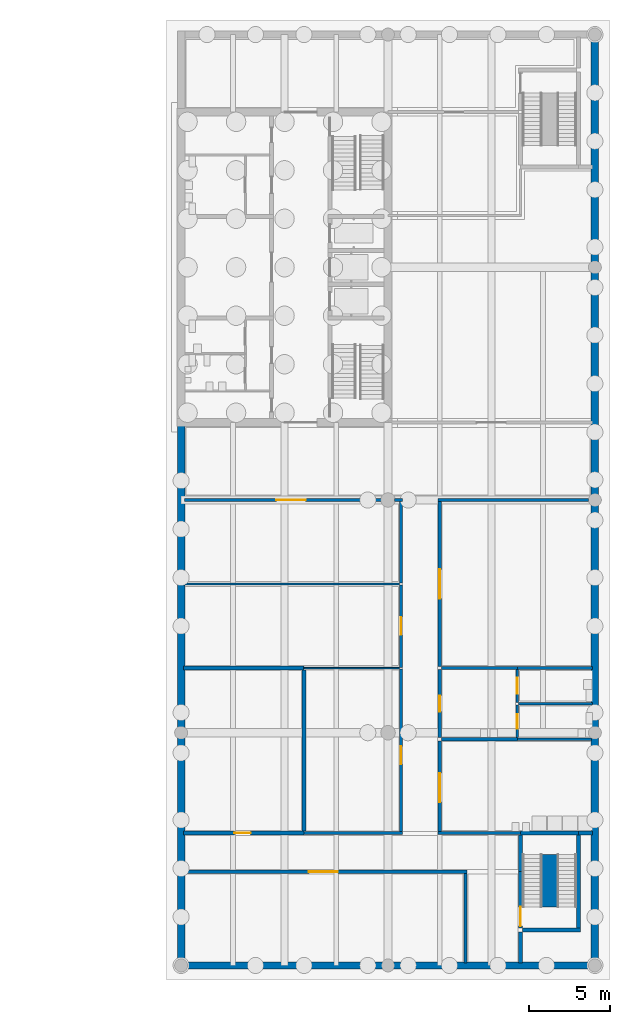
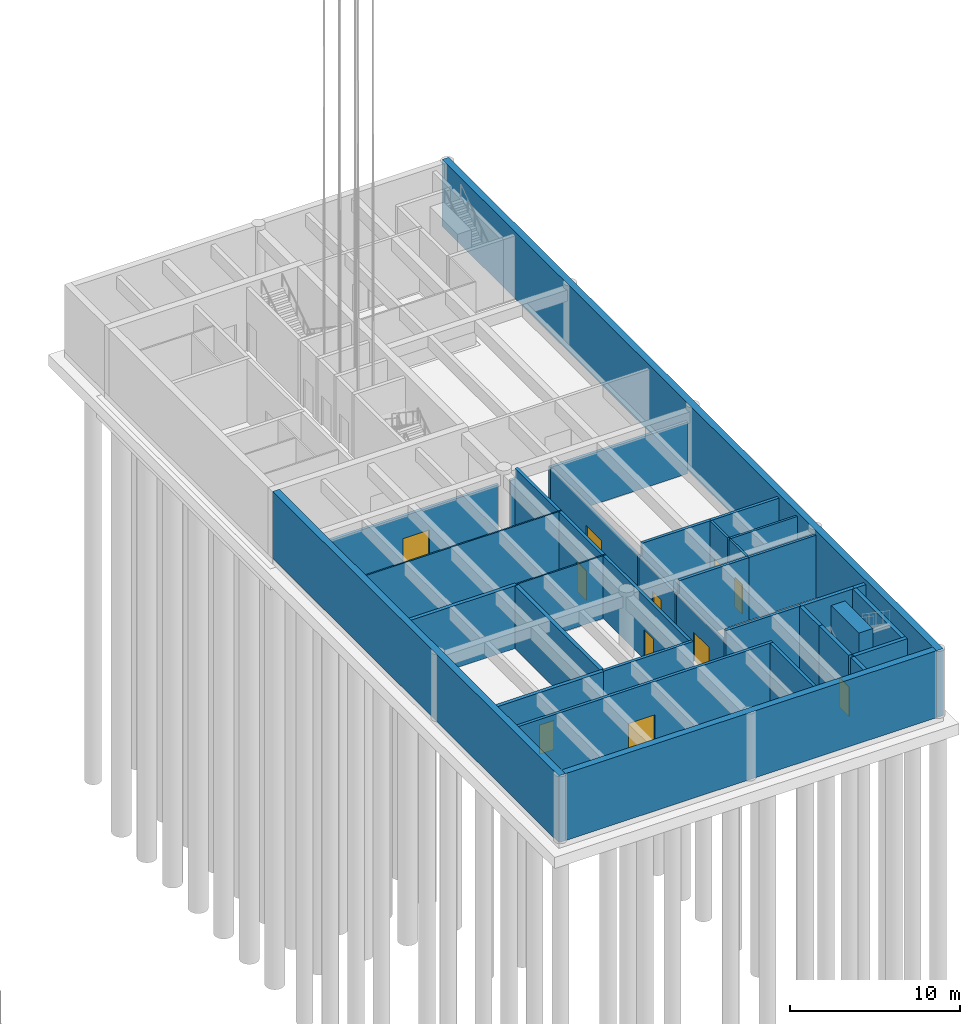
# One storey, part 5 of 24: 36 walls, 11 doors, 11 openings.
"""IFC4 building model written with IfcOpenShell, lengths in metres."""

from ifc_helpers import new_model, si_unit, direction, frame, frame_2d, origin, place, context, subcontext, project, spatial, rectangle, extrude, material, layer, layer_set, type_object, element, fill, save


model = new_model("IFC4")

# Units and contexts
model_context = context("Model", 3, precision=1e-05, world=origin(), true_north=direction((0.0, 1.0)))
body_context = subcontext(model_context, "Body", "Model", "MODEL_VIEW")
ifc_project = project(units=[si_unit("LENGTHUNIT", "METRE"), si_unit("AREAUNIT", "SQUARE_METRE"), si_unit("VOLUMEUNIT", "CUBIC_METRE"), si_unit("PLANEANGLEUNIT", "RADIAN"), si_unit("MASSUNIT", "GRAM", prefix="KILO")], contexts=[model_context])

# Site, building, storey
site_placement = place(None, origin())
site = spatial("IfcSite", under=ifc_project, at=site_placement, CompositionType="ELEMENT")
building_placement = place(site_placement, origin())
building = spatial("IfcBuilding", under=site, at=building_placement, Name="Fogon Plaza Fire Station and Headquarters Tower", CompositionType="ELEMENT")
storey_placement = place(building_placement, frame((0.0, 0.0, -4.800048828125)))
storey = spatial("IfcBuildingStorey", under=building, at=storey_placement, Name="B1", CompositionType="ELEMENT", Elevation=-4.800048828125)

# Wall
ifc_material_1 = material(Name="Concrete Block Wall", Category="concrete")
ifc_layer_1 = layer(ifc_material_1, 0.14990234375)
ifc_layer_set_1 = layer_set([ifc_layer_1], Name="Concrete Block Wall")
wall_type_1 = type_object("IfcWallType", Name="Block Wall 150", PredefinedType="PARTITIONING", material=ifc_layer_set_1)
wall_1_placement = place(storey_placement, frame((89.449951171875, 16.199951171875, 0.0), z_axis=(0.0, 0.0, 1.0), x_axis=(-1.0, 0.0, 0.0)))
element("IfcWall", 1, at=wall_1_placement, inside=storey, type_object=wall_type_1, Name="wall-B1-E-010", PredefinedType="PARTITIONING", context=body_context, shape_type="SweptSolid", body=[
    extrude(rectangle(XDim=4.574951171875, YDim=0.14990234375, at=frame_2d((2.28759765625, 0.0))), origin(), (0.0, 0.0, 1.0), 4.5),
])

# Wall, opening, door
wall_2_placement = place(storey_placement, frame((84.800048828125, 14.10009765625, 0.0), z_axis=(0.0, 0.0, 1.0), x_axis=(0.0, 1.0, 0.0)))
wall_2 = element("IfcWall", 2, at=wall_2_placement, inside=storey, type_object=wall_type_1, Name="wall-B1-E-034", PredefinedType="PARTITIONING", context=body_context, shape_type="SweptSolid", body=[
    extrude(rectangle(XDim=2.02490234375, YDim=0.14990234375, at=frame_2d((1.012451171875, 0.0))), origin(), (0.0, 0.0, 1.0), 4.5),
])
opening_1_placement = place(wall_2_placement, frame((0.550048828125, 0.0, 0.0)))
opening_1 = element("IfcOpeningElement", 3, at=opening_1_placement, cuts=wall_2, Name="Opening B1-D45", PredefinedType="OPENING", context=body_context, shape_type="SweptSolid", body=[
    extrude(rectangle(XDim=0.89990234375, YDim=2.10009765625, at=frame_2d((0.449951171875, 1.050048828125))), frame((0.0, 0.0849609375, 0.0), z_axis=(0.0, -1.0, 0.0), x_axis=(1.0, 0.0, 0.0)), (0.0, 0.0, 1.0), 0.169921875),
])
ifc_material_2 = material(Name="Timber Door Leaf", Category="wood")
door_type_1 = type_object("IfcDoorType", Name="Door WC 900x2100", OperationType="SINGLE_SWING_LEFT", PredefinedType="DOOR", material=ifc_material_2)
door_1_placement = place(opening_1_placement, frame((0.89990234375, 0.0, 0.0), z_axis=(0.0, 0.0, 1.0), x_axis=(-1.0, 0.0, 0.0)))
door_1 = element("IfcDoor", 4, at=door_1_placement, inside=storey, type_object=door_type_1, Name="door-B1-E-05", OperationType="SINGLE_SWING_LEFT", OverallHeight=2.10009765625, OverallWidth=0.89990234375, PredefinedType="DOOR", context=body_context, shape_type="SweptSolid", body=[
    extrude(rectangle(XDim=0.89990234375, YDim=2.10009765625, at=frame_2d((0.449951171875, 1.050048828125))), frame((0.0, 0.02490234375, 0.0), z_axis=(0.0, -1.0, 0.0), x_axis=(1.0, 0.0, 0.0)), (0.0, 0.0, 1.0), 0.050048828125),
])
fill(opening_1, door_1)

wall_3_placement = place(storey_placement, frame((84.800048828125, 16.27490234375, 0.0), z_axis=(0.0, 0.0, 1.0), x_axis=(0.0, 1.0, 0.0)))
wall_3 = element("IfcWall", 5, at=wall_3_placement, inside=storey, type_object=wall_type_1, Name="wall-B1-E-035", PredefinedType="PARTITIONING", context=body_context, shape_type="SweptSolid", body=[
    extrude(rectangle(XDim=2.025146484375, YDim=0.14990234375, at=frame_2d((1.0126953125, 0.0))), origin(), (0.0, 0.0, 1.0), 4.5),
])
opening_2_placement = place(wall_3_placement, frame((0.52490234375, 0.0, 0.0)))
opening_2 = element("IfcOpeningElement", 6, at=opening_2_placement, cuts=wall_3, Name="Opening B1-D46", PredefinedType="OPENING", context=body_context, shape_type="SweptSolid", body=[
    extrude(rectangle(XDim=1.0, YDim=2.10009765625, at=frame_2d((0.5, 1.050048828125))), frame((0.0, 0.0849609375, 0.0), z_axis=(0.0, -1.0, 0.0), x_axis=(1.0, 0.0, 0.0)), (0.0, 0.0, 1.0), 0.169921875),
])
ifc_material_3 = material(Name="Timber Door Leaf", Category="wood")
door_type_2 = type_object("IfcDoorType", Name="Door Sliding 1000x2100", OperationType="SINGLE_SWING_LEFT", PredefinedType="DOOR", material=ifc_material_3)
door_2_placement = place(opening_2_placement, frame((1.0, 0.0, 0.0), z_axis=(0.0, 0.0, 1.0), x_axis=(-1.0, 0.0, 0.0)))
door_2 = element("IfcDoor", 7, at=door_2_placement, inside=storey, type_object=door_type_2, Name="door-B1-E-06", OperationType="SINGLE_SWING_RIGHT", OverallHeight=2.10009765625, OverallWidth=1.0, PredefinedType="DOOR", context=body_context, shape_type="SweptSolid", body=[
    extrude(rectangle(XDim=1.0, YDim=2.10009765625, at=frame_2d((0.5, 1.050048828125))), frame((0.0, 0.02490234375, 0.0), z_axis=(0.0, -1.0, 0.0), x_axis=(1.0, 0.0, 0.0)), (0.0, 0.0, 1.0), 0.050048828125),
])
fill(opening_2, door_2)

# Walls
ifc_material_4 = material(Name="Concrete Block Fire Wall", Category="concrete")
ifc_layer_2 = layer(ifc_material_4, 0.199951171875)
ifc_layer_set_2 = layer_set([ifc_layer_2], Name="Concrete Block Fire Wall")
wall_type_2 = type_object("IfcWallType", Name="Compartment Wall EI 120", PredefinedType="PARTITIONING", material=ifc_layer_set_2)
wall_4_placement = place(storey_placement, frame((89.449951171875, 18.39990234375, 0.0), z_axis=(0.0, 0.0, 1.0), x_axis=(-1.0, 0.0, 0.0)))
element("IfcWall", 8, at=wall_4_placement, inside=storey, type_object=wall_type_2, Name="wall-B1-E-011", PredefinedType="PARTITIONING", context=body_context, shape_type="SweptSolid", body=[
    extrude(rectangle(XDim=4.64990234375, YDim=0.199951171875, at=frame_2d((2.324951171875, 0.0))), origin(), (0.0, 0.0, 1.0), 4.5),
])
wall_5_placement = place(storey_placement, frame((84.800048828125, 18.39990234375, 0.0), z_axis=(0.0, 0.0, 1.0), x_axis=(-1.0, 0.0, 0.0)))
element("IfcWall", 9, at=wall_5_placement, inside=storey, type_object=wall_type_2, Name="wall-B1-E-012", PredefinedType="PARTITIONING", context=body_context, shape_type="SweptSolid", body=[
    extrude(rectangle(XDim=4.699951171875, YDim=0.199951171875, at=frame_2d((2.35009765625, 0.0))), origin(), (0.0, 0.0, 1.0), 4.5),
])
ifc_material_5 = material(Name="Concrete Block Fire Wall", Category="concrete")
ifc_layer_3 = layer(ifc_material_5, 0.199951171875)
ifc_layer_set_3 = layer_set([ifc_layer_3], Name="Concrete Block Fire Wall")
wall_type_3 = type_object("IfcWallType", Name="Compartment Wall EI 120 Beam Head 800", PredefinedType="PARTITIONING", material=ifc_layer_set_3)
wall_6_placement = place(storey_placement, frame((89.199951171875, 28.800048828125, 0.0), z_axis=(0.0, 0.0, 1.0), x_axis=(-1.0, 0.0, 0.0)))
element("IfcWall", 10, at=wall_6_placement, inside=storey, type_object=wall_type_3, Name="wall-B1-E-016", PredefinedType="PARTITIONING", context=body_context, shape_type="SweptSolid", body=[
    extrude(rectangle(XDim=9.300048828125, YDim=0.199951171875, at=frame_2d((4.64990234375, 0.0))), origin(), (0.0, 0.0, 1.0), 3.699951171875),
])

# Wall, opening, door
ifc_material_6 = material(Name="Concrete Block Fire Wall", Category="concrete")
ifc_layer_4 = layer(ifc_material_6, 0.199951171875)
ifc_layer_set_4 = layer_set([ifc_layer_4], Name="Concrete Block Fire Wall")
wall_type_4 = type_object("IfcWallType", Name="Compartment Wall EI 120 Beam Head 900", PredefinedType="PARTITIONING", material=ifc_layer_set_4)
wall_7_placement = place(storey_placement, frame((80.0, 18.5, 0.0), z_axis=(0.0, 0.0, 1.0), x_axis=(0.0, 1.0, 0.0)))
wall_7 = element("IfcWall", 11, at=wall_7_placement, inside=storey, type_object=wall_type_4, Name="wall-B1-E-039", PredefinedType="PARTITIONING", context=body_context, shape_type="SweptSolid", body=[
    extrude(rectangle(XDim=10.199951171875, YDim=0.199951171875, at=frame_2d((5.10009765625, 0.0))), origin(), (0.0, 0.0, 1.0), 3.60009765625),
])
opening_3_placement = place(wall_7_placement, frame((4.199951171875, 0.0, 0.0)))
opening_3 = element("IfcOpeningElement", 12, at=opening_3_placement, cuts=wall_7, Name="Opening B1-D51", PredefinedType="OPENING", context=body_context, shape_type="SweptSolid", body=[
    extrude(rectangle(XDim=1.800048828125, YDim=2.10009765625, at=frame_2d((0.89990234375, 1.050048828125))), frame((0.0, 0.10986328125, 0.0), z_axis=(0.0, -1.0, 0.0), x_axis=(1.0, 0.0, 0.0)), (0.0, 0.0, 1.0), 0.219970703125),
])
ifc_material_7 = material(Name="Steel Fire Door Leaf", Category="steel")
door_type_3 = type_object("IfcDoorType", Name="Fire Door Double EI 90 1800x2100", OperationType="SINGLE_SWING_LEFT", PredefinedType="DOOR", material=ifc_material_7)
door_3_placement = place(opening_3_placement, frame((1.800048828125, 0.0, 0.0), z_axis=(0.0, 0.0, 1.0), x_axis=(-1.0, 0.0, 0.0)))
door_3 = element("IfcDoor", 13, at=door_3_placement, inside=storey, type_object=door_type_3, Name="door-B1-E-11", OperationType="DOUBLE_DOOR_SINGLE_SWING", OverallHeight=2.10009765625, OverallWidth=1.800048828125, PredefinedType="DOOR", context=body_context, shape_type="SweptSolid", body=[
    extrude(rectangle(XDim=1.800048828125, YDim=2.10009765625, at=frame_2d((0.89990234375, 1.050048828125))), frame((0.0, 0.02490234375, 0.0), z_axis=(0.0, -1.0, 0.0), x_axis=(1.0, 0.0, 0.0)), (0.0, 0.0, 1.0), 0.050048828125),
])
fill(opening_3, door_3)

ifc_material_8 = material(Name="Gypsum Board Fire Partition")
ifc_layer_5 = layer(ifc_material_8, 0.199951171875)
ifc_layer_set_5 = layer_set([ifc_layer_5], Name="Gypsum Board Fire Partition")
wall_type_5 = type_object("IfcWallType", Name="Corridor Wall EI 60", PredefinedType="PARTITIONING", material=ifc_layer_set_5)
wall_8_placement = place(storey_placement, frame((81.699951171875, 5.800048828125, 0.0), z_axis=(0.0, 0.0, 1.0), x_axis=(-1.0, 0.0, 0.0)))
wall_8 = element("IfcWall", 14, at=wall_8_placement, inside=storey, type_object=wall_type_5, Name="wall-B1-E-002", PredefinedType="PARTITIONING", context=body_context, shape_type="SweptSolid", body=[
    extrude(rectangle(XDim=17.550048828125, YDim=0.199951171875, at=frame_2d((8.77490234375, 0.0))), origin(), (0.0, 0.0, 1.0), 4.5),
])
opening_4_placement = place(wall_8_placement, frame((8.0, 0.0, 0.0)))
opening_4 = element("IfcOpeningElement", 15, at=opening_4_placement, cuts=wall_8, Name="Opening B1-D42", PredefinedType="OPENING", context=body_context, shape_type="SweptSolid", body=[
    extrude(rectangle(XDim=1.800048828125, YDim=2.10009765625, at=frame_2d((0.89990234375, 1.050048828125))), frame((0.0, 0.10986328125, 0.0), z_axis=(0.0, -1.0, 0.0), x_axis=(1.0, 0.0, 0.0)), (0.0, 0.0, 1.0), 0.219970703125),
])
ifc_material_9 = material(Name="Steel Fire Door Leaf", Category="steel")
door_type_4 = type_object("IfcDoorType", Name="Corridor Door Double EI 20 1800x2100", OperationType="SINGLE_SWING_LEFT", PredefinedType="DOOR", material=ifc_material_9)
door_4_placement = place(opening_4_placement, origin())
door_4 = element("IfcDoor", 16, at=door_4_placement, inside=storey, type_object=door_type_4, Name="door-B1-E-02", OperationType="DOUBLE_DOOR_SINGLE_SWING", OverallHeight=2.10009765625, OverallWidth=1.800048828125, PredefinedType="DOOR", context=body_context, shape_type="SweptSolid", body=[
    extrude(rectangle(XDim=1.800048828125, YDim=2.10009765625, at=frame_2d((0.89990234375, 1.050048828125))), frame((0.0, 0.02490234375, 0.0), z_axis=(0.0, -1.0, 0.0), x_axis=(1.0, 0.0, 0.0)), (0.0, 0.0, 1.0), 0.050048828125),
])
fill(opening_4, door_4)

# Walls
wall_9_placement = place(storey_placement, frame((85.0, 8.199951171875, 0.0), z_axis=(0.0, 0.0, 1.0), x_axis=(-1.0, 0.0, 0.0)))
element("IfcWall", 17, at=wall_9_placement, inside=storey, type_object=wall_type_5, Name="wall-B1-E-005", PredefinedType="PARTITIONING", context=body_context, shape_type="SweptSolid", body=[
    extrude(rectangle(XDim=5.10009765625, YDim=0.199951171875, at=frame_2d((2.550048828125, 0.0))), origin(), (0.0, 0.0, 1.0), 4.5),
])
wall_10_placement = place(storey_placement, frame((77.699951171875, 8.199951171875, 0.0), z_axis=(0.0, 0.0, 1.0), x_axis=(-1.0, 0.0, 0.0)))
element("IfcWall", 18, at=wall_10_placement, inside=storey, type_object=wall_type_5, Name="wall-B1-E-006", PredefinedType="PARTITIONING", context=body_context, shape_type="SweptSolid", body=[
    extrude(rectangle(XDim=6.099853515625, YDim=0.199951171875, at=frame_2d((3.0498046875, 0.0))), origin(), (0.0, 0.0, 1.0), 4.5),
])
wall_11_placement = place(storey_placement, frame((84.800048828125, 14.0, 0.0), z_axis=(0.0, 0.0, 1.0), x_axis=(-1.0, 0.0, 0.0)))
element("IfcWall", 19, at=wall_11_placement, inside=storey, type_object=wall_type_5, Name="wall-B1-E-009", PredefinedType="PARTITIONING", context=body_context, shape_type="SweptSolid", body=[
    extrude(rectangle(XDim=4.699951171875, YDim=0.199951171875, at=frame_2d((2.35009765625, 0.0))), origin(), (0.0, 0.0, 1.0), 4.5),
])
wall_12_placement = place(storey_placement, frame((81.60009765625, 0.14990234375, 0.0), z_axis=(0.0, 0.0, 1.0), x_axis=(0.0, 1.0, 0.0)))
element("IfcWall", 20, at=wall_12_placement, inside=storey, type_object=wall_type_5, Name="wall-B1-E-036", PredefinedType="PARTITIONING", context=body_context, shape_type="SweptSolid", body=[
    extrude(rectangle(XDim=5.550048828125, YDim=0.199951171875, at=frame_2d((2.77490234375, 0.0))), origin(), (0.0, 0.0, 1.0), 4.5),
])

# Wall, opening, door
wall_13_placement = place(storey_placement, frame((77.60009765625, 8.300048828125, 0.0), z_axis=(0.0, 0.0, 1.0), x_axis=(0.0, 1.0, 0.0)))
wall_13 = element("IfcWall", 21, at=wall_13_placement, inside=storey, type_object=wall_type_5, Name="wall-B1-E-040", PredefinedType="PARTITIONING", context=body_context, shape_type="SweptSolid", body=[
    extrude(rectangle(XDim=10.050048828125, YDim=0.199951171875, at=frame_2d((5.02490234375, 0.0))), origin(), (0.0, 0.0, 1.0), 4.5),
])
opening_5_placement = place(wall_13_placement, frame((4.14990234375, 0.0, 0.0)))
opening_5 = element("IfcOpeningElement", 22, at=opening_5_placement, cuts=wall_13, Name="Opening B1-D47", PredefinedType="OPENING", context=body_context, shape_type="SweptSolid", body=[
    extrude(rectangle(XDim=1.10009765625, YDim=2.10009765625, at=frame_2d((0.550048828125, 1.050048828125))), frame((0.0, 0.10986328125, 0.0), z_axis=(0.0, -1.0, 0.0), x_axis=(1.0, 0.0, 0.0)), (0.0, 0.0, 1.0), 0.219970703125),
])
ifc_material_10 = material(Name="Steel Fire Door Leaf", Category="steel")
door_type_5 = type_object("IfcDoorType", Name="Corridor Door EI 20 1100x2100", OperationType="SINGLE_SWING_LEFT", PredefinedType="DOOR", material=ifc_material_10)
door_5_placement = place(opening_5_placement, origin())
door_5 = element("IfcDoor", 23, at=door_5_placement, inside=storey, type_object=door_type_5, Name="door-B1-E-07", OperationType="SINGLE_SWING_RIGHT", OverallHeight=2.10009765625, OverallWidth=1.10009765625, PredefinedType="DOOR", context=body_context, shape_type="SweptSolid", body=[
    extrude(rectangle(XDim=1.10009765625, YDim=2.10009765625, at=frame_2d((0.550048828125, 1.050048828125))), frame((0.0, 0.02490234375, 0.0), z_axis=(0.0, -1.0, 0.0), x_axis=(1.0, 0.0, 0.0)), (0.0, 0.0, 1.0), 0.050048828125),
])
fill(opening_5, door_5)

wall_14_placement = place(storey_placement, frame((77.60009765625, 18.449951171875, 0.0), z_axis=(0.0, 0.0, 1.0), x_axis=(0.0, 1.0, 0.0)))
wall_14 = element("IfcWall", 24, at=wall_14_placement, inside=storey, type_object=wall_type_5, Name="wall-B1-E-041", PredefinedType="PARTITIONING", context=body_context, shape_type="SweptSolid", body=[
    extrude(rectangle(XDim=5.10009765625, YDim=0.199951171875, at=frame_2d((2.550048828125, 0.0))), origin(), (0.0, 0.0, 1.0), 4.5),
])
opening_6_placement = place(wall_14_placement, frame((2.0, 0.0, 0.0)))
opening_6 = element("IfcOpeningElement", 25, at=opening_6_placement, cuts=wall_14, Name="Opening B1-D49", PredefinedType="OPENING", context=body_context, shape_type="SweptSolid", body=[
    extrude(rectangle(XDim=1.10009765625, YDim=2.10009765625, at=frame_2d((0.550048828125, 1.050048828125))), frame((0.0, 0.10986328125, 0.0), z_axis=(0.0, -1.0, 0.0), x_axis=(1.0, 0.0, 0.0)), (0.0, 0.0, 1.0), 0.219970703125),
])
door_6_placement = place(opening_6_placement, origin())
door_6 = element("IfcDoor", 26, at=door_6_placement, inside=storey, type_object=door_type_5, Name="door-B1-E-09", OperationType="SINGLE_SWING_RIGHT", OverallHeight=2.10009765625, OverallWidth=1.10009765625, PredefinedType="DOOR", context=body_context, shape_type="SweptSolid", body=[
    extrude(rectangle(XDim=1.10009765625, YDim=2.10009765625, at=frame_2d((0.550048828125, 1.050048828125))), frame((0.0, 0.02490234375, 0.0), z_axis=(0.0, -1.0, 0.0), x_axis=(1.0, 0.0, 0.0)), (0.0, 0.0, 1.0), 0.050048828125),
])
fill(opening_6, door_6)

# Walls
wall_15_placement = place(storey_placement, frame((77.60009765625, 23.64990234375, 0.0), z_axis=(0.0, 0.0, 1.0), x_axis=(0.0, 1.0, 0.0)))
element("IfcWall", 27, at=wall_15_placement, inside=storey, type_object=wall_type_5, Name="wall-B1-E-042", PredefinedType="PARTITIONING", context=body_context, shape_type="SweptSolid", body=[
    extrude(rectangle(XDim=5.050048828125, YDim=0.199951171875, at=frame_2d((2.52490234375, 0.0))), origin(), (0.0, 0.0, 1.0), 4.5),
])
ifc_material_11 = material(Name="Gypsum Board Fire Partition")
ifc_layer_6 = layer(ifc_material_11, 0.199951171875)
ifc_layer_set_6 = layer_set([ifc_layer_6], Name="Gypsum Board Fire Partition")
wall_type_6 = type_object("IfcWallType", Name="Corridor Wall EI 60 Beam Head 800", PredefinedType="PARTITIONING", material=ifc_layer_set_6)
wall_16_placement = place(storey_placement, frame((77.699951171875, 28.800048828125, 0.0), z_axis=(0.0, 0.0, 1.0), x_axis=(-1.0, 0.0, 0.0)))
element("IfcWall", 28, at=wall_16_placement, inside=storey, type_object=wall_type_6, Name="wall-B1-E-017", PredefinedType="PARTITIONING", context=body_context, shape_type="SweptSolid", body=[
    extrude(rectangle(XDim=0.5, YDim=0.199951171875, at=frame_2d((0.25, 0.0))), origin(), (0.0, 0.0, 1.0), 3.699951171875),
])

# Wall, opening, door
wall_17_placement = place(storey_placement, frame((76.39990234375, 28.800048828125, 0.0), z_axis=(0.0, 0.0, 1.0), x_axis=(-1.0, 0.0, 0.0)))
wall_17 = element("IfcWall", 29, at=wall_17_placement, inside=storey, type_object=wall_type_6, Name="wall-B1-E-018", PredefinedType="PARTITIONING", context=body_context, shape_type="SweptSolid", body=[
    extrude(rectangle(XDim=12.184814453125, YDim=0.199951171875, at=frame_2d((6.09228515625, 0.0))), origin(), (0.0, 0.0, 1.0), 3.699951171875),
])
opening_7_placement = place(wall_17_placement, frame((4.699951171875, 0.0, 0.0)))
opening_7 = element("IfcOpeningElement", 30, at=opening_7_placement, cuts=wall_17, Name="Opening B1-D50", PredefinedType="OPENING", context=body_context, shape_type="SweptSolid", body=[
    extrude(rectangle(XDim=1.800048828125, YDim=2.10009765625, at=frame_2d((0.89990234375, 1.050048828125))), frame((0.0, 0.10986328125, 0.0), z_axis=(0.0, -1.0, 0.0), x_axis=(1.0, 0.0, 0.0)), (0.0, 0.0, 1.0), 0.219970703125),
])
door_7_placement = place(opening_7_placement, origin())
door_7 = element("IfcDoor", 31, at=door_7_placement, inside=storey, type_object=door_type_4, Name="door-B1-E-10", OperationType="DOUBLE_DOOR_SINGLE_SWING", OverallHeight=2.10009765625, OverallWidth=1.800048828125, PredefinedType="DOOR", context=body_context, shape_type="SweptSolid", body=[
    extrude(rectangle(XDim=1.800048828125, YDim=2.10009765625, at=frame_2d((0.89990234375, 1.050048828125))), frame((0.0, 0.02490234375, 0.0), z_axis=(0.0, -1.0, 0.0), x_axis=(1.0, 0.0, 0.0)), (0.0, 0.0, 1.0), 0.050048828125),
])
fill(opening_7, door_7)

ifc_material_12 = material(Name="Gypsum Board Fire Partition")
ifc_layer_7 = layer(ifc_material_12, 0.199951171875)
ifc_layer_set_7 = layer_set([ifc_layer_7], Name="Gypsum Board Fire Partition")
wall_type_7 = type_object("IfcWallType", Name="Corridor Wall EI 60 Beam Head 900", PredefinedType="PARTITIONING", material=ifc_layer_set_7)
wall_18_placement = place(storey_placement, frame((80.0, 8.300048828125, 0.0), z_axis=(0.0, 0.0, 1.0), x_axis=(0.0, 1.0, 0.0)))
wall_18 = element("IfcWall", 32, at=wall_18_placement, inside=storey, type_object=wall_type_7, Name="wall-B1-E-037", PredefinedType="PARTITIONING", context=body_context, shape_type="SweptSolid", body=[
    extrude(rectangle(XDim=5.599853515625, YDim=0.199951171875, at=frame_2d((2.7998046875, 0.0))), origin(), (0.0, 0.0, 1.0), 3.60009765625),
])
opening_8_placement = place(wall_18_placement, frame((1.800048828125, 0.0, 0.0)))
opening_8 = element("IfcOpeningElement", 33, at=opening_8_placement, cuts=wall_18, Name="Opening B1-D43", PredefinedType="OPENING", context=body_context, shape_type="SweptSolid", body=[
    extrude(rectangle(XDim=1.800048828125, YDim=2.10009765625, at=frame_2d((0.89990234375, 1.050048828125))), frame((0.0, 0.10986328125, 0.0), z_axis=(0.0, -1.0, 0.0), x_axis=(1.0, 0.0, 0.0)), (0.0, 0.0, 1.0), 0.219970703125),
])
door_8_placement = place(opening_8_placement, frame((1.800048828125, 0.0, 0.0), z_axis=(0.0, 0.0, 1.0), x_axis=(-1.0, 0.0, 0.0)))
door_8 = element("IfcDoor", 34, at=door_8_placement, inside=storey, type_object=door_type_4, Name="door-B1-E-03", OperationType="DOUBLE_DOOR_SINGLE_SWING", OverallHeight=2.10009765625, OverallWidth=1.800048828125, PredefinedType="DOOR", context=body_context, shape_type="SweptSolid", body=[
    extrude(rectangle(XDim=1.800048828125, YDim=2.10009765625, at=frame_2d((0.89990234375, 1.050048828125))), frame((0.0, 0.02490234375, 0.0), z_axis=(0.0, -1.0, 0.0), x_axis=(1.0, 0.0, 0.0)), (0.0, 0.0, 1.0), 0.050048828125),
])
fill(opening_8, door_8)

wall_19_placement = place(storey_placement, frame((80.0, 14.10009765625, 0.0), z_axis=(0.0, 0.0, 1.0), x_axis=(0.0, 1.0, 0.0)))
wall_19 = element("IfcWall", 35, at=wall_19_placement, inside=storey, type_object=wall_type_7, Name="wall-B1-E-038", PredefinedType="PARTITIONING", context=body_context, shape_type="SweptSolid", body=[
    extrude(rectangle(XDim=4.199951171875, YDim=0.199951171875, at=frame_2d((2.10009765625, 0.0))), origin(), (0.0, 0.0, 1.0), 3.60009765625),
])
opening_9_placement = place(wall_19_placement, frame((1.60009765625, 0.0, 0.0)))
opening_9 = element("IfcOpeningElement", 36, at=opening_9_placement, cuts=wall_19, Name="Opening B1-D44", PredefinedType="OPENING", context=body_context, shape_type="SweptSolid", body=[
    extrude(rectangle(XDim=1.0, YDim=2.10009765625, at=frame_2d((0.5, 1.050048828125))), frame((0.0, 0.10986328125, 0.0), z_axis=(0.0, -1.0, 0.0), x_axis=(1.0, 0.0, 0.0)), (0.0, 0.0, 1.0), 0.219970703125),
])
ifc_material_13 = material(Name="Steel Fire Door Leaf", Category="steel")
door_type_6 = type_object("IfcDoorType", Name="Corridor Door EI 20 1000x2100", OperationType="SINGLE_SWING_LEFT", PredefinedType="DOOR", material=ifc_material_13)
door_9_placement = place(opening_9_placement, frame((1.0, 0.0, 0.0), z_axis=(0.0, 0.0, 1.0), x_axis=(-1.0, 0.0, 0.0)))
door_9 = element("IfcDoor", 37, at=door_9_placement, inside=storey, type_object=door_type_6, Name="door-B1-E-04", OperationType="SINGLE_SWING_RIGHT", OverallHeight=2.10009765625, OverallWidth=1.0, PredefinedType="DOOR", context=body_context, shape_type="SweptSolid", body=[
    extrude(rectangle(XDim=1.0, YDim=2.10009765625, at=frame_2d((0.5, 1.050048828125))), frame((0.0, 0.02490234375, 0.0), z_axis=(0.0, -1.0, 0.0), x_axis=(1.0, 0.0, 0.0)), (0.0, 0.0, 1.0), 0.050048828125),
])
fill(opening_9, door_9)

# Walls
ifc_material_14 = material(Name="Gypsum Board Partition")
ifc_layer_8 = layer(ifc_material_14, 0.10009765625)
ifc_layer_set_8 = layer_set([ifc_layer_8], Name="Gypsum Board Partition")
wall_type_8 = type_object("IfcWallType", Name="Partition Gypsum 100", PredefinedType="PARTITIONING", material=ifc_layer_set_8)
wall_20_placement = place(storey_placement, frame((77.5, 18.39990234375, 0.0), z_axis=(0.0, 0.0, 1.0), x_axis=(-1.0, 0.0, 0.0)))
element("IfcWall", 38, at=wall_20_placement, inside=storey, type_object=wall_type_8, Name="wall-B1-E-013", PredefinedType="PARTITIONING", context=body_context, shape_type="SweptSolid", body=[
    extrude(rectangle(XDim=5.89990234375, YDim=0.10009765625, at=frame_2d((2.949951171875, 0.0))), origin(), (0.0, 0.0, 1.0), 4.5),
])
wall_21_placement = place(storey_placement, frame((77.5, 23.60009765625, 0.0), z_axis=(0.0, 0.0, 1.0), x_axis=(-1.0, 0.0, 0.0)))
element("IfcWall", 39, at=wall_21_placement, inside=storey, type_object=wall_type_8, Name="wall-B1-E-015", PredefinedType="PARTITIONING", context=body_context, shape_type="SweptSolid", body=[
    extrude(rectangle(XDim=13.35009765625, YDim=0.10009765625, at=frame_2d((6.675048828125, 0.0))), origin(), (0.0, 0.0, 1.0), 4.5),
])

# Wall, opening, door
ifc_material_15 = material(Name="Reinforced Concrete Block Fire Wall", Category="concrete")
ifc_layer_9 = layer(ifc_material_15, 0.25)
ifc_layer_set_9 = layer_set([ifc_layer_9], Name="Reinforced Concrete Block Fire Wall")
wall_type_9 = type_object("IfcWallType", Name="Plant Room Wall EI 120 250", PredefinedType="PARTITIONING", material=ifc_layer_set_9)
wall_22_placement = place(storey_placement, frame((71.60009765625, 8.199951171875, 0.0), z_axis=(0.0, 0.0, 1.0), x_axis=(-1.0, 0.0, 0.0)))
wall_22 = element("IfcWall", 40, at=wall_22_placement, inside=storey, type_object=wall_type_9, Name="wall-B1-E-007", PredefinedType="PARTITIONING", context=body_context, shape_type="SweptSolid", body=[
    extrude(rectangle(XDim=7.4501953125, YDim=0.25, at=frame_2d((3.72509765625, 0.0))), origin(), (0.0, 0.0, 1.0), 4.5),
])
opening_10_placement = place(wall_22_placement, frame((3.300048828125, 0.0, 0.0)))
opening_10 = element("IfcOpeningElement", 41, at=opening_10_placement, cuts=wall_22, Name="Opening B1-D48", PredefinedType="OPENING", context=body_context, shape_type="SweptSolid", body=[
    extrude(rectangle(XDim=1.0, YDim=2.10009765625, at=frame_2d((0.5, 1.050048828125))), frame((0.0, 0.135009765625, 0.0), z_axis=(0.0, -1.0, 0.0), x_axis=(1.0, 0.0, 0.0)), (0.0, 0.0, 1.0), 0.27001953125),
])
ifc_material_16 = material(Name="Steel Fire Door Leaf", Category="steel")
door_type_7 = type_object("IfcDoorType", Name="Fire Door EI 90 1000x2100", OperationType="SINGLE_SWING_LEFT", PredefinedType="DOOR", material=ifc_material_16)
door_10_placement = place(opening_10_placement, frame((1.0, 0.0, 0.0), z_axis=(0.0, 0.0, 1.0), x_axis=(-1.0, 0.0, 0.0)))
door_10 = element("IfcDoor", 42, at=door_10_placement, inside=storey, type_object=door_type_7, Name="door-B1-E-08", OperationType="SINGLE_SWING_LEFT", OverallHeight=2.10009765625, OverallWidth=1.0, PredefinedType="DOOR", context=body_context, shape_type="SweptSolid", body=[
    extrude(rectangle(XDim=1.0, YDim=2.10009765625, at=frame_2d((0.5, 1.050048828125))), frame((0.0, 0.02490234375, 0.0), z_axis=(0.0, -1.0, 0.0), x_axis=(1.0, 0.0, 0.0)), (0.0, 0.0, 1.0), 0.050048828125),
])
fill(opening_10, door_10)

# Walls
wall_23_placement = place(storey_placement, frame((71.60009765625, 18.39990234375, 0.0), z_axis=(0.0, 0.0, 1.0), x_axis=(-1.0, 0.0, 0.0)))
element("IfcWall", 43, at=wall_23_placement, inside=storey, type_object=wall_type_9, Name="wall-B1-E-014", PredefinedType="PARTITIONING", context=body_context, shape_type="SweptSolid", body=[
    extrude(rectangle(XDim=7.4501953125, YDim=0.25, at=frame_2d((3.72509765625, 0.0))), origin(), (0.0, 0.0, 1.0), 4.5),
])
wall_24_placement = place(storey_placement, frame((71.60009765625, 8.324951171875, 0.0), z_axis=(0.0, 0.0, 1.0), x_axis=(0.0, 1.0, 0.0)))
element("IfcWall", 44, at=wall_24_placement, inside=storey, type_object=wall_type_9, Name="wall-B1-E-043", PredefinedType="PARTITIONING", context=body_context, shape_type="SweptSolid", body=[
    extrude(rectangle(XDim=9.949951171875, YDim=0.25, at=frame_2d((4.97509765625, 0.0))), origin(), (0.0, 0.0, 1.0), 4.5),
])
ifc_material_17 = material(Name="Concrete C40", Category="concrete")
ifc_layer_10 = layer(ifc_material_17, 0.449951171875)
ifc_layer_set_10 = layer_set([ifc_layer_10], Name="Concrete C40")
wall_type_10 = type_object("IfcWallType", Name="Solid wall 450 RW45", PredefinedType="SOLIDWALL", material=ifc_layer_set_10)
wall_25_placement = place(storey_placement, frame((89.60009765625, -0.22509765625, 0.0), z_axis=(0.0, 0.0, 1.0), x_axis=(0.0, 1.0, 0.0)))
element("IfcWall", 45, at=wall_25_placement, inside=storey, type_object=wall_type_10, Name="wall-ret-E-1-B1", PredefinedType="SOLIDWALL", context=body_context, shape_type="SweptSolid", body=[
    extrude(rectangle(XDim=58.050048828125, YDim=0.449951171875, at=frame_2d((29.02490234375, 0.0))), origin(), (0.0, 0.0, 1.0), 4.800048828125),
])
wall_26_placement = place(storey_placement, frame((89.375, 0.0, 0.0), z_axis=(0.0, 0.0, 1.0), x_axis=(-1.0, 0.0, 0.0)))
element("IfcWall", 46, at=wall_26_placement, inside=storey, type_object=wall_type_10, Name="wall-ret-E-2-B1", PredefinedType="SOLIDWALL", context=body_context, shape_type="SweptSolid", body=[
    extrude(rectangle(XDim=25.14990234375, YDim=0.449951171875, at=frame_2d((12.574951171875, 0.0))), origin(), (0.0, 0.0, 1.0), 4.800048828125),
])
wall_27_placement = place(storey_placement, frame((64.0, -0.22509765625, 0.0), z_axis=(0.0, 0.0, 1.0), x_axis=(0.0, 1.0, 0.0)))
element("IfcWall", 47, at=wall_27_placement, inside=storey, type_object=wall_type_10, Name="wall-ret-E-4-B1", PredefinedType="SOLIDWALL", context=body_context, shape_type="SweptSolid", body=[
    extrude(rectangle(XDim=33.60009765625, YDim=0.449951171875, at=frame_2d((16.800048828125, 0.0))), origin(), (0.0, 0.0, 1.0), 4.800048828125),
])
ifc_material_18 = material(Name="Concrete C40", Category="concrete")
ifc_layer_11 = layer(ifc_material_18, 0.949951171875)
ifc_layer_set_11 = layer_set([ifc_layer_11], Name="Concrete C40")
wall_type_11 = type_object("IfcWallType", Name="Stair Newel Wall RC 950", PredefinedType="SHEAR", material=ifc_layer_set_11)
wall_28_placement = place(storey_placement, frame((86.800048828125, 3.625, 0.0), z_axis=(0.0, 0.0, 1.0), x_axis=(0.0, 1.0, 0.0)))
element("IfcWall", 48, at=wall_28_placement, inside=storey, type_object=wall_type_11, Name="wall-newel-ST8-B1", PredefinedType="SHEAR", context=body_context, shape_type="SweptSolid", body=[
    extrude(rectangle(XDim=3.25, YDim=0.949951171875, at=frame_2d((1.625, 0.0))), origin(), (0.0, 0.0, 1.0), 4.800048828125),
])
ifc_material_19 = material(Name="Concrete C40", Category="concrete")
ifc_layer_12 = layer(ifc_material_19, 0.25)
ifc_layer_set_12 = layer_set([ifc_layer_12], Name="Concrete C40")
wall_type_12 = type_object("IfcWallType", Name="Stair Shaft Wall RC 250", PredefinedType="SHEAR", material=ifc_layer_set_12)
for number, where, z_axis, x_axis, name in (
    (49, (88.72509765625, 2.199951171875, 0.0), (0.0, 0.0, 1.0), (-1.0, 0.0, 0.0), "wall-B1-E-001"),
    (50, (88.60009765625, 8.199951171875, 0.0), (0.0, 0.0, 1.0), (-1.0, 0.0, 0.0), "wall-B1-E-004"),
):
    element("IfcWall", number, at=place(storey_placement, frame(where, z_axis=z_axis, x_axis=x_axis)), inside=storey, type_object=wall_type_12, Name=name, PredefinedType="SHEAR", context=body_context, shape_type="SweptSolid", body=[
        extrude(rectangle(XDim=3.60009765625, YDim=0.25, at=frame_2d((1.800048828125, 0.0))), origin(), (0.0, 0.0, 1.0), 4.5),
    ])
wall_29_placement = place(storey_placement, frame((88.60009765625, 2.324951171875, 0.0), z_axis=(0.0, 0.0, 1.0), x_axis=(0.0, 1.0, 0.0)))
element("IfcWall", 51, at=wall_29_placement, inside=storey, type_object=wall_type_12, Name="wall-B1-E-025", PredefinedType="SHEAR", context=body_context, shape_type="SweptSolid", body=[
    extrude(rectangle(XDim=5.75, YDim=0.25, at=frame_2d((2.875, 0.0))), origin(), (0.0, 0.0, 1.0), 4.5),
])

# Wall, opening, door
wall_30_placement = place(storey_placement, frame((85.0, 2.324951171875, 0.0), z_axis=(0.0, 0.0, 1.0), x_axis=(0.0, 1.0, 0.0)))
wall_30 = element("IfcWall", 52, at=wall_30_placement, inside=storey, type_object=wall_type_12, Name="wall-B1-E-029", PredefinedType="SHEAR", context=body_context, shape_type="SweptSolid", body=[
    extrude(rectangle(XDim=3.47509765625, YDim=0.25, at=frame_2d((1.737548828125, 0.0))), origin(), (0.0, 0.0, 1.0), 4.5),
])
opening_11_placement = place(wall_30_placement, frame((0.10498046875, 0.0, 0.0)))
opening_11 = element("IfcOpeningElement", 53, at=opening_11_placement, cuts=wall_30, Name="Opening B1-D41", PredefinedType="OPENING", context=body_context, shape_type="SweptSolid", body=[
    extrude(rectangle(XDim=1.199951171875, YDim=2.10009765625, at=frame_2d((0.60009765625, 1.050048828125))), frame((0.0, 0.135009765625, 0.0), z_axis=(0.0, -1.0, 0.0), x_axis=(1.0, 0.0, 0.0)), (0.0, 0.0, 1.0), 0.27001953125),
])
ifc_material_20 = material(Name="Steel Fire Door Leaf", Category="steel")
door_type_8 = type_object("IfcDoorType", Name="Stair Door EI 90 1200x2100", OperationType="SINGLE_SWING_LEFT", PredefinedType="DOOR", material=ifc_material_20)
door_11_placement = place(opening_11_placement, origin())
door_11 = element("IfcDoor", 54, at=door_11_placement, inside=storey, type_object=door_type_8, Name="door-B1-E-01", OperationType="SINGLE_SWING_LEFT", OverallHeight=2.10009765625, OverallWidth=1.199951171875, PredefinedType="DOOR", context=body_context, shape_type="SweptSolid", body=[
    extrude(rectangle(XDim=1.199951171875, YDim=2.10009765625, at=frame_2d((0.60009765625, 1.050048828125))), frame((0.0, 0.02490234375, 0.0), z_axis=(0.0, -1.0, 0.0), x_axis=(1.0, 0.0, 0.0)), (0.0, 0.0, 1.0), 0.050048828125),
])
fill(opening_11, door_11)

# Walls
wall_31_placement = place(storey_placement, frame((85.0, 5.800048828125, 0.0), z_axis=(0.0, 0.0, 1.0), x_axis=(0.0, 1.0, 0.0)))
element("IfcWall", 55, at=wall_31_placement, inside=storey, type_object=wall_type_12, Name="wall-B1-E-030", PredefinedType="SHEAR", context=body_context, shape_type="SweptSolid", body=[
    extrude(rectangle(XDim=2.27490234375, YDim=0.25, at=frame_2d((1.137451171875, 0.0))), origin(), (0.0, 0.0, 1.0), 4.5),
])
ifc_material_21 = material(Name="Concrete Block Fire Wall", Category="concrete")
ifc_layer_13 = layer(ifc_material_21, 0.25)
ifc_layer_set_13 = layer_set([ifc_layer_13], Name="Concrete Block Fire Wall")
wall_type_13 = type_object("IfcWallType", Name="Stair and Shaft Wall EI 120", PredefinedType="PARTITIONING", material=ifc_layer_set_13)
wall_32_placement = place(storey_placement, frame((89.449951171875, 8.199951171875, 0.0), z_axis=(0.0, 0.0, 1.0), x_axis=(-1.0, 0.0, 0.0)))
element("IfcWall", 56, at=wall_32_placement, inside=storey, type_object=wall_type_13, Name="wall-B1-E-003", PredefinedType="PARTITIONING", context=body_context, shape_type="SweptSolid", body=[
    extrude(rectangle(XDim=0.849853515625, YDim=0.25, at=frame_2d((0.4248046875, 0.0))), origin(), (0.0, 0.0, 1.0), 4.5),
])
wall_33_placement = place(storey_placement, frame((85.0, 0.14990234375, 0.0), z_axis=(0.0, 0.0, 1.0), x_axis=(0.0, 1.0, 0.0)))
element("IfcWall", 57, at=wall_33_placement, inside=storey, type_object=wall_type_13, Name="wall-B1-E-028", PredefinedType="PARTITIONING", context=body_context, shape_type="SweptSolid", body=[
    extrude(rectangle(XDim=1.925048828125, YDim=0.25, at=frame_2d((0.96240234375, 0.0))), origin(), (0.0, 0.0, 1.0), 4.5),
])
ifc_material_22 = material(Name="Tiled Concrete Block Wall", Category="concrete")
ifc_layer_14 = layer(ifc_material_22, 0.175048828125)
ifc_layer_set_14 = layer_set([ifc_layer_14], Name="Tiled Concrete Block Wall")
wall_type_14 = type_object("IfcWallType", Name="Wet Area Block Wall 175", PredefinedType="PARTITIONING", material=ifc_layer_set_14)
wall_34_placement = place(storey_placement, frame((89.38037109375, 14.0, 0.0), z_axis=(0.0, 0.0, 1.0), x_axis=(-1.0, 0.0, 0.0)))
element("IfcWall", 58, at=wall_34_placement, inside=storey, type_object=wall_type_14, Name="wall-B1-E-008", PredefinedType="PARTITIONING", context=body_context, shape_type="SweptSolid", body=[
    extrude(rectangle(XDim=4.580322265625, YDim=0.175048828125, at=frame_2d((2.2900390625, 0.0))), origin(), (0.0, 0.0, 1.0), 4.5),
])

save(model, "model.ifc")
